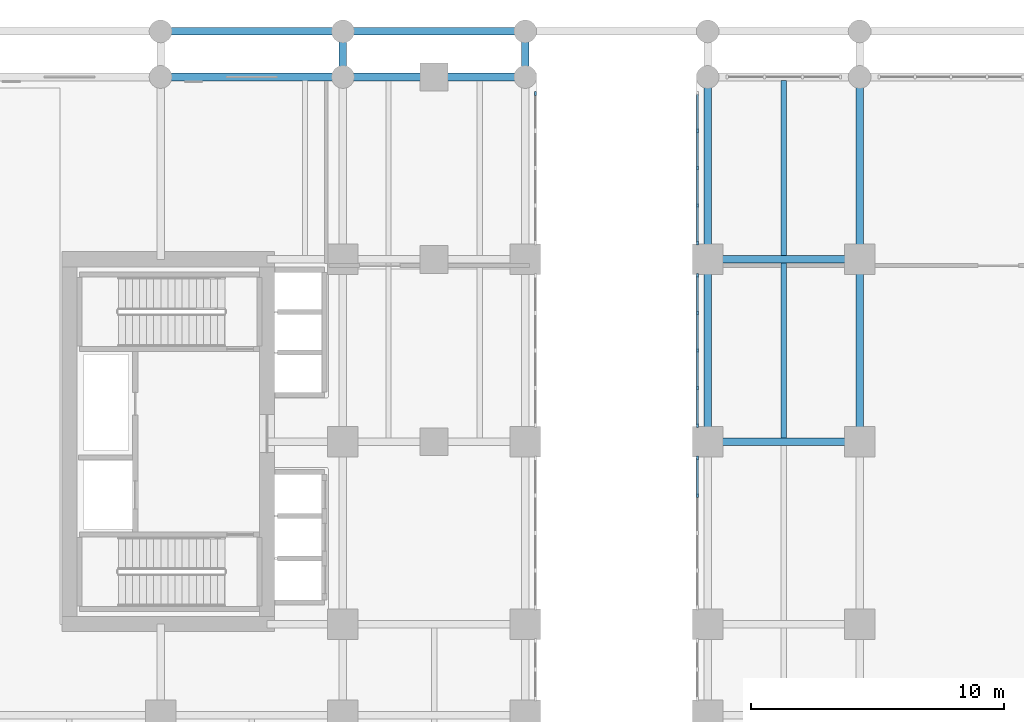
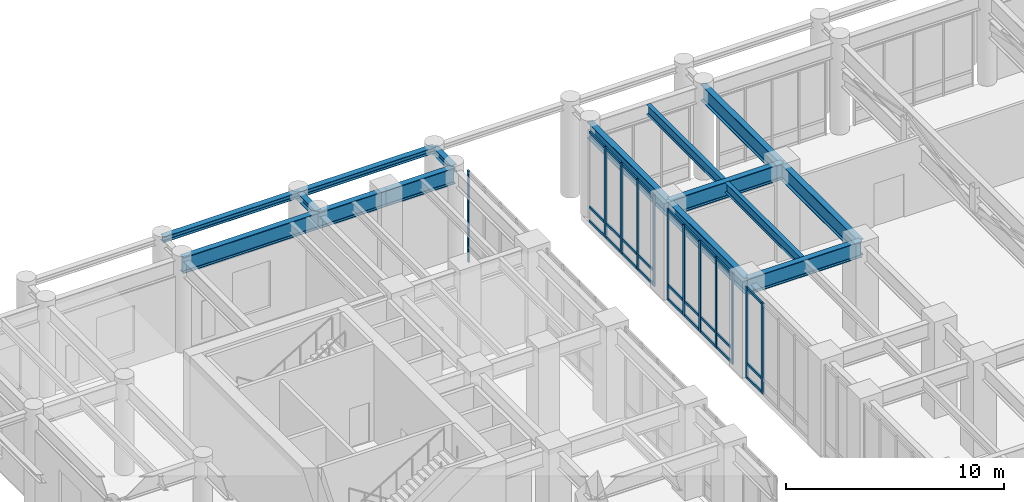
# One storey, part 7 of 24: 39 members, 15 beams, 4 elements without a shape of their own.
"""IFC4 building model written with IfcOpenShell, lengths in metres."""

from ifc_helpers import new_model, si_unit, derived_unit, direction, frame, origin, origin_2d, place, context, subcontext, project, spatial, rectangle, i_section, extrude, source, transform, mapped, material, layer, layer_set, material_profile, profile_set, type_object, type_shapes, element, aggregate, save


model = new_model("IFC4")

# Units and contexts
model_context = context("Model", 3, precision=1e-05, world=origin(), true_north=direction((0.0, 1.0)))
body_context = subcontext(model_context, "Body", "Model", "MODEL_VIEW")
ifc_project = project(units=[si_unit("LENGTHUNIT", "METRE"), si_unit("AREAUNIT", "SQUARE_METRE"), si_unit("VOLUMEUNIT", "CUBIC_METRE"), si_unit("PLANEANGLEUNIT", "RADIAN"), si_unit("MASSUNIT", "GRAM", prefix="KILO"), si_unit("THERMODYNAMICTEMPERATUREUNIT", "KELVIN"), si_unit("POWERUNIT", "WATT"), derived_unit("THERMALTRANSMITTANCEUNIT", [(si_unit("POWERUNIT", "WATT"), 1), (si_unit("AREAUNIT", "SQUARE_METRE"), -1), (si_unit("THERMODYNAMICTEMPERATUREUNIT", "KELVIN"), -1)])], contexts=[model_context])

# Site, building, storey
site_placement = place(None, origin())
site = spatial("IfcSite", under=ifc_project, at=site_placement, CompositionType="ELEMENT")
building_placement = place(site_placement, origin())
building = spatial("IfcBuilding", under=site, at=building_placement, Name="Zahravan Archway Hotel and Residences", CompositionType="ELEMENT")
storey_placement = place(building_placement, frame((0.0, 0.0, 10.800048828125)))
storey = spatial("IfcBuildingStorey", under=building, at=storey_placement, Name="L02", CompositionType="ELEMENT", Elevation=10.800048828125)

# Beams
ifc_material_1 = material(Name="Structural Steel S355J2", Category="steel")
ifc_material_profile_1 = material_profile(ifc_material_1, i_section(OverallWidth=0.300048828125, OverallDepth=0.89990234375, WebThickness=0.0185546875, FlangeThickness=0.034912109375, FilletRadius=0.030029296875, at=origin_2d()), Name="HEB 900", Category="steel")
ifc_profile_set_1 = profile_set([ifc_material_profile_1], Name="Structural Steel S355J2")
beam_type_1 = type_object("IfcBeamType", Name="BM-PRI-HEB900", PredefinedType="BEAM", material=ifc_profile_set_1)
shared_shape_1 = source(origin(), body_context, "Body", "SweptSolid", [
    extrude(i_section(OverallWidth=0.300048828125, OverallDepth=0.89990234375, WebThickness=0.0185546875, FlangeThickness=0.034912109375, FilletRadius=0.030029296875, at=origin_2d()), origin(), (0.0, 0.0, 1.0), 7.199951171875),
])
for number, where, z_axis, x_axis, name in (
    (1, (7.199951171875, 46.800048828125, 4.64990234375), (1.0, 0.0, 0.0), (0.0, 1.0, 0.0), "L02 Primary Girder EW-53"),
    (2, (28.800048828125, 39.60009765625, 4.64990234375), (0.0, 1.0, 0.0), (-1.0, 0.0, 0.0), "L02 Primary Girder NS-101"),
    (3, (34.800048828125, 39.60009765625, 4.64990234375), (0.0, 1.0, 0.0), (-1.0, 0.0, 0.0), "L02 Primary Girder NS-106"),
):
    element("IfcBeam", number, at=place(storey_placement, frame(where, z_axis=z_axis, x_axis=x_axis)), inside=storey, type_object=beam_type_1, Name=name, PredefinedType="BEAM", context=body_context, shape_type="MappedRepresentation", body=[
        mapped(shared_shape_1, transform((0.0, 0.0, 0.0), scale=1.0)),
    ])
shared_shape_2 = source(origin(), body_context, "Body", "SweptSolid", [
    extrude(i_section(OverallWidth=0.300048828125, OverallDepth=0.89990234375, WebThickness=0.0185546875, FlangeThickness=0.034912109375, FilletRadius=0.030029296875, at=origin_2d()), origin(), (0.0, 0.0, 1.0), 7.2001953125),
])
for number, where, z_axis, x_axis, name in (
    (4, (28.800048828125, 32.39990234375, 4.64990234375), (0.0, 1.0, 0.0), (-1.0, 0.0, 0.0), "L02 Primary Girder NS-100"),
    (5, (34.800048828125, 32.39990234375, 4.64990234375), (0.0, 1.0, 0.0), (-1.0, 0.0, 0.0), "L02 Primary Girder NS-105"),
):
    element("IfcBeam", number, at=place(storey_placement, frame(where, z_axis=z_axis, x_axis=x_axis)), inside=storey, type_object=beam_type_1, Name=name, PredefinedType="BEAM", context=body_context, shape_type="MappedRepresentation", body=[
        mapped(shared_shape_2, transform((0.0, 0.0, 0.0), scale=1.0)),
    ])
shared_shape_3 = source(origin(), body_context, "Body", "SweptSolid", [
    extrude(i_section(OverallWidth=0.300048828125, OverallDepth=0.89990234375, WebThickness=0.0185546875, FlangeThickness=0.034912109375, FilletRadius=0.030029296875, at=origin_2d()), origin(), (0.0, 0.0, 1.0), 6.0),
])
for number, where, z_axis, x_axis, name in (
    (6, (28.800048828125, 32.39990234375, 4.64990234375), (1.0, 0.0, 0.0), (0.0, 1.0, 0.0), "L02 Primary Girder EW-45"),
    (7, (28.800048828125, 39.60009765625, 4.64990234375), (1.0, 0.0, 0.0), (0.0, 1.0, 0.0), "L02 Primary Girder EW-50"),
):
    element("IfcBeam", number, at=place(storey_placement, frame(where, z_axis=z_axis, x_axis=x_axis)), inside=storey, type_object=beam_type_1, Name=name, PredefinedType="BEAM", context=body_context, shape_type="MappedRepresentation", body=[
        mapped(shared_shape_3, transform((0.0, 0.0, 0.0), scale=1.0)),
    ])
shared_shape_4 = source(origin(), body_context, "Body", "SweptSolid", [
    extrude(i_section(OverallWidth=0.300048828125, OverallDepth=0.89990234375, WebThickness=0.0185546875, FlangeThickness=0.034912109375, FilletRadius=0.030029296875, at=origin_2d()), origin(), (0.0, 0.0, 1.0), 3.60009765625),
])
for number, where, z_axis, x_axis, name in (
    (8, (14.39990234375, 46.800048828125, 4.64990234375), (1.0, 0.0, 0.0), (0.0, 1.0, 0.0), "L02 Primary Girder EW-54"),
    (9, (18.0, 46.800048828125, 4.64990234375), (1.0, 0.0, 0.0), (0.0, 1.0, 0.0), "L02 Primary Girder EW-55"),
):
    element("IfcBeam", number, at=place(storey_placement, frame(where, z_axis=z_axis, x_axis=x_axis)), inside=storey, type_object=beam_type_1, Name=name, PredefinedType="BEAM", context=body_context, shape_type="MappedRepresentation", body=[
        mapped(shared_shape_4, transform((0.0, 0.0, 0.0), scale=1.0)),
    ])
ifc_material_2 = material(Name="Structural Steel S355JR", Category="steel")
ifc_material_profile_2 = material_profile(ifc_material_2, i_section(OverallWidth=0.2099609375, OverallDepth=0.550048828125, WebThickness=0.010986328125, FlangeThickness=0.01708984375, FilletRadius=0.02392578125, at=origin_2d()), Name="IPE 550", Category="steel")
ifc_profile_set_2 = profile_set([ifc_material_profile_2], Name="Structural Steel S355JR")
beam_type_2 = type_object("IfcBeamType", Name="BM-JST-IPE550", PredefinedType="JOIST", material=ifc_profile_set_2)
shared_shape_5 = source(origin(), body_context, "Body", "SweptSolid", [
    extrude(i_section(OverallWidth=0.2099609375, OverallDepth=0.550048828125, WebThickness=0.010986328125, FlangeThickness=0.01708984375, FilletRadius=0.02392578125, at=origin_2d()), origin(), (0.0, 0.0, 1.0), 6.904052734375),
])
type_shapes(beam_type_2, [shared_shape_5])
beam_1_placement = place(storey_placement, frame((31.800048828125, 39.748046875, 4.824951171875), z_axis=(0.0, 1.0, 0.0), x_axis=(-1.0, 0.0, 0.0)))
element("IfcBeam", 10, at=beam_1_placement, inside=storey, type_object=beam_type_2, Name="L02 Composite Floor Joist 38", PredefinedType="JOIST", context=body_context, shape_type="MappedRepresentation", body=[
    mapped(shared_shape_5, transform((0.0, 0.0, 0.0), scale=1.0)),
])
shared_shape_6 = source(origin(), body_context, "Body", "SweptSolid", [
    extrude(i_section(OverallWidth=0.2099609375, OverallDepth=0.550048828125, WebThickness=0.010986328125, FlangeThickness=0.01708984375, FilletRadius=0.02392578125, at=origin_2d()), origin(), (0.0, 0.0, 1.0), 6.90380859375),
])
beam_2_placement = place(storey_placement, frame((31.800048828125, 32.548095703125, 4.824951171875), z_axis=(0.0, 1.0, 0.0), x_axis=(-1.0, 0.0, 0.0)))
element("IfcBeam", 11, at=beam_2_placement, inside=storey, type_object=beam_type_2, Name="L02 Composite Floor Joist 33", PredefinedType="JOIST", context=body_context, shape_type="MappedRepresentation", body=[
    mapped(shared_shape_6, transform((0.0, 0.0, 0.0), scale=1.0)),
])
ifc_material_profile_3 = material_profile(ifc_material_2, i_section(OverallWidth=0.300048828125, OverallDepth=0.320068359375, WebThickness=0.011474609375, FlangeThickness=0.0205078125, FilletRadius=0.027099609375, at=origin_2d()), Name="HEB 320", Category="steel")
ifc_profile_set_3 = profile_set([ifc_material_profile_3], Name="Structural Steel S355JR")
beam_type_3 = type_object("IfcBeamType", Name="BM-SPN-HEB320", PredefinedType="SPANDREL", material=ifc_profile_set_3)
shared_shape_7 = source(origin(), body_context, "Body", "SweptSolid", [
    extrude(i_section(OverallWidth=0.300048828125, OverallDepth=0.320068359375, WebThickness=0.011474609375, FlangeThickness=0.0205078125, FilletRadius=0.027099609375, at=origin_2d()), origin(), (0.0, 0.0, 1.0), 7.199951171875),
])
type_shapes(beam_type_3, [shared_shape_7])
beam_3_placement = place(storey_placement, frame((7.199951171875, 48.60009765625, 5.0), z_axis=(1.0, 0.0, 0.0), x_axis=(0.0, 1.0, 0.0)))
element("IfcBeam", 12, at=beam_3_placement, inside=storey, type_object=beam_type_3, Name="L02 North Colonnade Spandrel 2", PredefinedType="SPANDREL", context=body_context, shape_type="MappedRepresentation", body=[
    mapped(shared_shape_7, transform((0.0, 0.0, 0.0), scale=1.0)),
])
shared_shape_8 = source(origin(), body_context, "Body", "SweptSolid", [
    extrude(i_section(OverallWidth=0.300048828125, OverallDepth=0.320068359375, WebThickness=0.011474609375, FlangeThickness=0.0205078125, FilletRadius=0.027099609375, at=origin_2d()), origin(), (0.0, 0.0, 1.0), 7.2001953125),
])
beam_4_placement = place(storey_placement, frame((14.39990234375, 48.60009765625, 5.0), z_axis=(1.0, 0.0, 0.0), x_axis=(0.0, 1.0, 0.0)))
element("IfcBeam", 13, at=beam_4_placement, inside=storey, type_object=beam_type_3, Name="L02 North Colonnade Spandrel 3", PredefinedType="SPANDREL", context=body_context, shape_type="MappedRepresentation", body=[
    mapped(shared_shape_8, transform((0.0, 0.0, 0.0), scale=1.0)),
])
ifc_material_profile_4 = material_profile(ifc_material_2, i_section(OverallWidth=0.300048828125, OverallDepth=0.39990234375, WebThickness=0.013427734375, FlangeThickness=0.02392578125, FilletRadius=0.027099609375, at=origin_2d()), Name="HEB 400", Category="steel")
ifc_profile_set_4 = profile_set([ifc_material_profile_4], Name="Structural Steel S355JR")
beam_type_4 = type_object("IfcBeamType", Name="BM-PRI-HEB400", PredefinedType="BEAM", material=ifc_profile_set_4)
shared_shape_9 = source(origin(), body_context, "Body", "SweptSolid", [
    extrude(i_section(OverallWidth=0.300048828125, OverallDepth=0.39990234375, WebThickness=0.013427734375, FlangeThickness=0.02392578125, FilletRadius=0.027099609375, at=origin_2d()), origin(), (0.0, 0.0, 1.0), 1.800048828125),
])
for number, where, z_axis, x_axis, name in (
    (14, (14.39990234375, 46.800048828125, 4.9599609375), (0.0, 1.0, 0.0), (-1.0, 0.0, 0.0), "L02 North Colonnade Tie Girder 3"),
    (15, (21.60009765625, 46.800048828125, 4.9599609375), (0.0, 1.0, 0.0), (-1.0, 0.0, 0.0), "L02 North Colonnade Tie Girder 4"),
):
    element("IfcBeam", number, at=place(storey_placement, frame(where, z_axis=z_axis, x_axis=x_axis)), inside=storey, type_object=beam_type_4, Name=name, PredefinedType="BEAM", context=body_context, shape_type="MappedRepresentation", body=[
        mapped(shared_shape_9, transform((0.0, 0.0, 0.0), scale=1.0)),
    ])

# Curtain wall, members
ifc_material_3 = material(Name="Bronze-Anodized Unitised Aluminium & Low-E Glass", Category="aluminium")
ifc_layer = layer(ifc_material_3, 0.179931640625, Name="Bronze-Anodized Unitised Aluminium & Low-E Glass", Category="aluminium")
ifc_layer_set = layer_set([ifc_layer], Name="Bronze-Anodized Unitised Aluminium & Low-E Glass")
curtain_wall_type = type_object("IfcCurtainWallType", Name="CW-POD-ARCH", PredefinedType="NOTDEFINED", material=ifc_layer_set)
curtain_wall_1_placement = place(storey_placement, origin())
curtain_wall_1 = element("IfcCurtainWall", 16, at=curtain_wall_1_placement, inside=storey, type_object=curtain_wall_type, Name="L02 Curtain Wall CW-PORTE-L02-7", PredefinedType="NOTDEFINED")
ifc_material_4 = material(Name="Bronze-Anodized Extruded Aluminium", Category="aluminium")
ifc_material_profile_5 = material_profile(ifc_material_4, rectangle(XDim=0.080078125, YDim=0.139892578125, at=origin_2d()), Name="TRN 80x140", Category="aluminium")
ifc_profile_set_5 = profile_set([ifc_material_profile_5], Name="Bronze-Anodized Extruded Aluminium")
member_type_1 = type_object("IfcMemberType", Name="CWM-TRN-140", PredefinedType="USERDEFINED", material=ifc_profile_set_5)
shared_shape_10 = source(origin(), body_context, "Body", "SweptSolid", [
    extrude(rectangle(XDim=0.080078125, YDim=0.139892578125, at=origin_2d()), origin(), (0.0, 0.0, 1.0), 1.397216796875),
])
member_1_placement = place(storey_placement, frame((28.39990234375, 41.7626953125, 0.070068359375), z_axis=(0.0, 1.0, 0.0), x_axis=(-1.0, 0.0, 0.0)))
member_1 = element("IfcMember", 17, at=member_1_placement, type_object=member_type_1, Name="CW-PORTE-L02-7 Transom 1-1", ObjectType="TRANSOM", PredefinedType="USERDEFINED", context=body_context, shape_type="MappedRepresentation", body=[
    mapped(shared_shape_10, transform((0.0, 0.0, 0.0), scale=1.0)),
])
member_2_placement = place(storey_placement, frame((28.39990234375, 41.7626953125, 0.849853515625), z_axis=(0.0, 1.0, 0.0), x_axis=(-1.0, 0.0, 0.0)))
member_2 = element("IfcMember", 18, at=member_2_placement, type_object=member_type_1, Name="CW-PORTE-L02-7 Transom 1-2", ObjectType="TRANSOM", PredefinedType="USERDEFINED", context=body_context, shape_type="MappedRepresentation", body=[
    mapped(shared_shape_10, transform((0.0, 0.0, 0.0), scale=1.0)),
])
member_3_placement = place(storey_placement, frame((28.39990234375, 41.7626953125, 5.030029296875), z_axis=(0.0, 1.0, 0.0), x_axis=(-1.0, 0.0, 0.0)))
member_3 = element("IfcMember", 19, at=member_3_placement, type_object=member_type_1, Name="CW-PORTE-L02-7 Transom 1-3", ObjectType="TRANSOM", PredefinedType="USERDEFINED", context=body_context, shape_type="MappedRepresentation", body=[
    mapped(shared_shape_10, transform((0.0, 0.0, 0.0), scale=1.0)),
])

curtain_wall_2_placement = place(storey_placement, origin())
curtain_wall_2 = element("IfcCurtainWall", 20, at=curtain_wall_2_placement, inside=storey, type_object=curtain_wall_type, Name="L02 Curtain Wall CW-PORTE-L02-5", PredefinedType="NOTDEFINED")
shared_shape_11 = source(origin(), body_context, "Body", "SweptSolid", [
    extrude(rectangle(XDim=0.080078125, YDim=0.139892578125, at=origin_2d()), origin(), (0.0, 0.0, 1.0), 1.3974609375),
])
member_4_placement = place(storey_placement, frame((28.39990234375, 30.3173828125, 0.070068359375), z_axis=(0.0, 1.0, 0.0), x_axis=(-1.0, 0.0, 0.0)))
member_4 = element("IfcMember", 21, at=member_4_placement, type_object=member_type_1, Name="CW-PORTE-L02-5 Transom 3-1", ObjectType="TRANSOM", PredefinedType="USERDEFINED", context=body_context, shape_type="MappedRepresentation", body=[
    mapped(shared_shape_11, transform((0.0, 0.0, 0.0), scale=1.0)),
])
member_5_placement = place(storey_placement, frame((28.39990234375, 30.3173828125, 0.849853515625), z_axis=(0.0, 1.0, 0.0), x_axis=(-1.0, 0.0, 0.0)))
member_5 = element("IfcMember", 22, at=member_5_placement, type_object=member_type_1, Name="CW-PORTE-L02-5 Transom 3-2", ObjectType="TRANSOM", PredefinedType="USERDEFINED", context=body_context, shape_type="MappedRepresentation", body=[
    mapped(shared_shape_11, transform((0.0, 0.0, 0.0), scale=1.0)),
])
member_6_placement = place(storey_placement, frame((28.39990234375, 30.3173828125, 5.030029296875), z_axis=(0.0, 1.0, 0.0), x_axis=(-1.0, 0.0, 0.0)))
member_6 = element("IfcMember", 23, at=member_6_placement, type_object=member_type_1, Name="CW-PORTE-L02-5 Transom 3-3", ObjectType="TRANSOM", PredefinedType="USERDEFINED", context=body_context, shape_type="MappedRepresentation", body=[
    mapped(shared_shape_11, transform((0.0, 0.0, 0.0), scale=1.0)),
])

curtain_wall_3_placement = place(storey_placement, origin())
curtain_wall_3 = element("IfcCurtainWall", 24, at=curtain_wall_3_placement, inside=storey, type_object=curtain_wall_type, Name="L02 Curtain Wall CW-PORTE-L02-6", PredefinedType="NOTDEFINED")
member_7_placement = place(storey_placement, frame((28.39990234375, 33.085205078125, 0.070068359375), z_axis=(0.0, 1.0, 0.0), x_axis=(-1.0, 0.0, 0.0)))
member_7 = element("IfcMember", 25, at=member_7_placement, type_object=member_type_1, Name="CW-PORTE-L02-6 Transom 0-1", ObjectType="TRANSOM", PredefinedType="USERDEFINED", context=body_context, shape_type="MappedRepresentation", body=[
    mapped(shared_shape_11, transform((0.0, 0.0, 0.0), scale=1.0)),
])
member_8_placement = place(storey_placement, frame((28.39990234375, 33.085205078125, 0.849853515625), z_axis=(0.0, 1.0, 0.0), x_axis=(-1.0, 0.0, 0.0)))
member_8 = element("IfcMember", 26, at=member_8_placement, type_object=member_type_1, Name="CW-PORTE-L02-6 Transom 0-2", ObjectType="TRANSOM", PredefinedType="USERDEFINED", context=body_context, shape_type="MappedRepresentation", body=[
    mapped(shared_shape_11, transform((0.0, 0.0, 0.0), scale=1.0)),
])
member_9_placement = place(storey_placement, frame((28.39990234375, 33.085205078125, 5.030029296875), z_axis=(0.0, 1.0, 0.0), x_axis=(-1.0, 0.0, 0.0)))
member_9 = element("IfcMember", 27, at=member_9_placement, type_object=member_type_1, Name="CW-PORTE-L02-6 Transom 0-3", ObjectType="TRANSOM", PredefinedType="USERDEFINED", context=body_context, shape_type="MappedRepresentation", body=[
    mapped(shared_shape_11, transform((0.0, 0.0, 0.0), scale=1.0)),
])
member_10_placement = place(storey_placement, frame((28.39990234375, 34.5625, 0.070068359375), z_axis=(0.0, 1.0, 0.0), x_axis=(-1.0, 0.0, 0.0)))
member_10 = element("IfcMember", 28, at=member_10_placement, type_object=member_type_1, Name="CW-PORTE-L02-6 Transom 1-1", ObjectType="TRANSOM", PredefinedType="USERDEFINED", context=body_context, shape_type="MappedRepresentation", body=[
    mapped(shared_shape_11, transform((0.0, 0.0, 0.0), scale=1.0)),
])
member_11_placement = place(storey_placement, frame((28.39990234375, 34.5625, 0.849853515625), z_axis=(0.0, 1.0, 0.0), x_axis=(-1.0, 0.0, 0.0)))
member_11 = element("IfcMember", 29, at=member_11_placement, type_object=member_type_1, Name="CW-PORTE-L02-6 Transom 1-2", ObjectType="TRANSOM", PredefinedType="USERDEFINED", context=body_context, shape_type="MappedRepresentation", body=[
    mapped(shared_shape_11, transform((0.0, 0.0, 0.0), scale=1.0)),
])
member_12_placement = place(storey_placement, frame((28.39990234375, 34.5625, 5.030029296875), z_axis=(0.0, 1.0, 0.0), x_axis=(-1.0, 0.0, 0.0)))
member_12 = element("IfcMember", 30, at=member_12_placement, type_object=member_type_1, Name="CW-PORTE-L02-6 Transom 1-3", ObjectType="TRANSOM", PredefinedType="USERDEFINED", context=body_context, shape_type="MappedRepresentation", body=[
    mapped(shared_shape_11, transform((0.0, 0.0, 0.0), scale=1.0)),
])
member_13_placement = place(storey_placement, frame((28.39990234375, 36.0400390625, 0.070068359375), z_axis=(0.0, 1.0, 0.0), x_axis=(-1.0, 0.0, 0.0)))
member_13 = element("IfcMember", 31, at=member_13_placement, type_object=member_type_1, Name="CW-PORTE-L02-6 Transom 2-1", ObjectType="TRANSOM", PredefinedType="USERDEFINED", context=body_context, shape_type="MappedRepresentation", body=[
    mapped(shared_shape_11, transform((0.0, 0.0, 0.0), scale=1.0)),
])
member_14_placement = place(storey_placement, frame((28.39990234375, 36.0400390625, 0.849853515625), z_axis=(0.0, 1.0, 0.0), x_axis=(-1.0, 0.0, 0.0)))
member_14 = element("IfcMember", 32, at=member_14_placement, type_object=member_type_1, Name="CW-PORTE-L02-6 Transom 2-2", ObjectType="TRANSOM", PredefinedType="USERDEFINED", context=body_context, shape_type="MappedRepresentation", body=[
    mapped(shared_shape_11, transform((0.0, 0.0, 0.0), scale=1.0)),
])
member_15_placement = place(storey_placement, frame((28.39990234375, 36.0400390625, 5.030029296875), z_axis=(0.0, 1.0, 0.0), x_axis=(-1.0, 0.0, 0.0)))
member_15 = element("IfcMember", 33, at=member_15_placement, type_object=member_type_1, Name="CW-PORTE-L02-6 Transom 2-3", ObjectType="TRANSOM", PredefinedType="USERDEFINED", context=body_context, shape_type="MappedRepresentation", body=[
    mapped(shared_shape_11, transform((0.0, 0.0, 0.0), scale=1.0)),
])
member_16_placement = place(storey_placement, frame((28.39990234375, 37.517333984375, 0.070068359375), z_axis=(0.0, 1.0, 0.0), x_axis=(-1.0, 0.0, 0.0)))
member_16 = element("IfcMember", 34, at=member_16_placement, type_object=member_type_1, Name="CW-PORTE-L02-6 Transom 3-1", ObjectType="TRANSOM", PredefinedType="USERDEFINED", context=body_context, shape_type="MappedRepresentation", body=[
    mapped(shared_shape_11, transform((0.0, 0.0, 0.0), scale=1.0)),
])
member_17_placement = place(storey_placement, frame((28.39990234375, 37.517333984375, 0.849853515625), z_axis=(0.0, 1.0, 0.0), x_axis=(-1.0, 0.0, 0.0)))
member_17 = element("IfcMember", 35, at=member_17_placement, type_object=member_type_1, Name="CW-PORTE-L02-6 Transom 3-2", ObjectType="TRANSOM", PredefinedType="USERDEFINED", context=body_context, shape_type="MappedRepresentation", body=[
    mapped(shared_shape_11, transform((0.0, 0.0, 0.0), scale=1.0)),
])
member_18_placement = place(storey_placement, frame((28.39990234375, 37.517333984375, 5.030029296875), z_axis=(0.0, 1.0, 0.0), x_axis=(-1.0, 0.0, 0.0)))
member_18 = element("IfcMember", 36, at=member_18_placement, type_object=member_type_1, Name="CW-PORTE-L02-6 Transom 3-3", ObjectType="TRANSOM", PredefinedType="USERDEFINED", context=body_context, shape_type="MappedRepresentation", body=[
    mapped(shared_shape_11, transform((0.0, 0.0, 0.0), scale=1.0)),
])

# Member
member_19_placement = place(storey_placement, frame((28.39990234375, 40.28515625, 0.070068359375), z_axis=(0.0, 1.0, 0.0), x_axis=(-1.0, 0.0, 0.0)))
member_19 = element("IfcMember", 37, at=member_19_placement, type_object=member_type_1, Name="CW-PORTE-L02-7 Transom 0-1", ObjectType="TRANSOM", PredefinedType="USERDEFINED", context=body_context, shape_type="MappedRepresentation", body=[
    mapped(shared_shape_11, transform((0.0, 0.0, 0.0), scale=1.0)),
])

member_20_placement = place(storey_placement, frame((28.39990234375, 40.28515625, 0.849853515625), z_axis=(0.0, 1.0, 0.0), x_axis=(-1.0, 0.0, 0.0)))
member_20 = element("IfcMember", 38, at=member_20_placement, type_object=member_type_1, Name="CW-PORTE-L02-7 Transom 0-2", ObjectType="TRANSOM", PredefinedType="USERDEFINED", context=body_context, shape_type="MappedRepresentation", body=[
    mapped(shared_shape_11, transform((0.0, 0.0, 0.0), scale=1.0)),
])

member_21_placement = place(storey_placement, frame((28.39990234375, 40.28515625, 5.030029296875), z_axis=(0.0, 1.0, 0.0), x_axis=(-1.0, 0.0, 0.0)))
member_21 = element("IfcMember", 39, at=member_21_placement, type_object=member_type_1, Name="CW-PORTE-L02-7 Transom 0-3", ObjectType="TRANSOM", PredefinedType="USERDEFINED", context=body_context, shape_type="MappedRepresentation", body=[
    mapped(shared_shape_11, transform((0.0, 0.0, 0.0), scale=1.0)),
])

member_22_placement = place(storey_placement, frame((28.39990234375, 43.239990234375, 0.070068359375), z_axis=(0.0, 1.0, 0.0), x_axis=(-1.0, 0.0, 0.0)))
member_22 = element("IfcMember", 40, at=member_22_placement, type_object=member_type_1, Name="CW-PORTE-L02-7 Transom 2-1", ObjectType="TRANSOM", PredefinedType="USERDEFINED", context=body_context, shape_type="MappedRepresentation", body=[
    mapped(shared_shape_11, transform((0.0, 0.0, 0.0), scale=1.0)),
])

member_23_placement = place(storey_placement, frame((28.39990234375, 43.239990234375, 0.849853515625), z_axis=(0.0, 1.0, 0.0), x_axis=(-1.0, 0.0, 0.0)))
member_23 = element("IfcMember", 41, at=member_23_placement, type_object=member_type_1, Name="CW-PORTE-L02-7 Transom 2-2", ObjectType="TRANSOM", PredefinedType="USERDEFINED", context=body_context, shape_type="MappedRepresentation", body=[
    mapped(shared_shape_11, transform((0.0, 0.0, 0.0), scale=1.0)),
])

member_24_placement = place(storey_placement, frame((28.39990234375, 43.239990234375, 5.030029296875), z_axis=(0.0, 1.0, 0.0), x_axis=(-1.0, 0.0, 0.0)))
member_24 = element("IfcMember", 42, at=member_24_placement, type_object=member_type_1, Name="CW-PORTE-L02-7 Transom 2-3", ObjectType="TRANSOM", PredefinedType="USERDEFINED", context=body_context, shape_type="MappedRepresentation", body=[
    mapped(shared_shape_11, transform((0.0, 0.0, 0.0), scale=1.0)),
])

member_25_placement = place(storey_placement, frame((28.39990234375, 44.71728515625, 0.070068359375), z_axis=(0.0, 1.0, 0.0), x_axis=(-1.0, 0.0, 0.0)))
member_25 = element("IfcMember", 43, at=member_25_placement, type_object=member_type_1, Name="CW-PORTE-L02-7 Transom 3-1", ObjectType="TRANSOM", PredefinedType="USERDEFINED", context=body_context, shape_type="MappedRepresentation", body=[
    mapped(shared_shape_11, transform((0.0, 0.0, 0.0), scale=1.0)),
])

member_26_placement = place(storey_placement, frame((28.39990234375, 44.71728515625, 0.849853515625), z_axis=(0.0, 1.0, 0.0), x_axis=(-1.0, 0.0, 0.0)))
member_26 = element("IfcMember", 44, at=member_26_placement, type_object=member_type_1, Name="CW-PORTE-L02-7 Transom 3-2", ObjectType="TRANSOM", PredefinedType="USERDEFINED", context=body_context, shape_type="MappedRepresentation", body=[
    mapped(shared_shape_11, transform((0.0, 0.0, 0.0), scale=1.0)),
])

member_27_placement = place(storey_placement, frame((28.39990234375, 44.71728515625, 5.030029296875), z_axis=(0.0, 1.0, 0.0), x_axis=(-1.0, 0.0, 0.0)))
member_27 = element("IfcMember", 45, at=member_27_placement, type_object=member_type_1, Name="CW-PORTE-L02-7 Transom 3-3", ObjectType="TRANSOM", PredefinedType="USERDEFINED", context=body_context, shape_type="MappedRepresentation", body=[
    mapped(shared_shape_11, transform((0.0, 0.0, 0.0), scale=1.0)),
])

# Curtain wall, member
curtain_wall_4_placement = place(storey_placement, origin())
curtain_wall_4 = element("IfcCurtainWall", 46, at=curtain_wall_4_placement, inside=storey, type_object=curtain_wall_type, Name="L02 Curtain Wall CW-PORTW-L02-7", PredefinedType="NOTDEFINED")
ifc_material_profile_6 = material_profile(ifc_material_4, rectangle(XDim=0.080078125, YDim=0.159912109375, at=origin_2d()), Name="MUL 80x160", Category="aluminium")
ifc_profile_set_6 = profile_set([ifc_material_profile_6], Name="Bronze-Anodized Extruded Aluminium")
member_type_2 = type_object("IfcMemberType", Name="CWM-MUL-160", PredefinedType="MULLION", material=ifc_profile_set_6)
shared_shape_12 = source(origin(), body_context, "Body", "SweptSolid", [
    extrude(rectangle(XDim=0.080078125, YDim=0.159912109375, at=origin_2d()), origin(), (0.0, 0.0, 1.0), 5.099853515625),
])
member_28_placement = place(storey_placement, frame((22.0, 46.15478515625, 0.0), z_axis=(0.0, 0.0, 1.0), x_axis=(1.0, 0.0, 0.0)))
member_28 = element("IfcMember", 47, at=member_28_placement, type_object=member_type_2, Name="CW-PORTW-L02-7 Mullion 4", PredefinedType="MULLION", context=body_context, shape_type="MappedRepresentation", body=[
    mapped(shared_shape_12, transform((0.0, 0.0, 0.0), scale=1.0)),
])
aggregate(curtain_wall_4, [member_28])

# Member
member_29_placement = place(storey_placement, frame((28.39990234375, 30.27734375, 0.0), z_axis=(0.0, 0.0, 1.0), x_axis=(1.0, 0.0, 0.0)))
member_29 = element("IfcMember", 48, at=member_29_placement, type_object=member_type_2, Name="CW-PORTE-L02-5 Mullion 3", PredefinedType="MULLION", context=body_context, shape_type="MappedRepresentation", body=[
    mapped(shared_shape_12, transform((0.0, 0.0, 0.0), scale=1.0)),
])

member_30_placement = place(storey_placement, frame((28.39990234375, 31.7548828125, 0.0), z_axis=(0.0, 0.0, 1.0), x_axis=(1.0, 0.0, 0.0)))
member_30 = element("IfcMember", 49, at=member_30_placement, type_object=member_type_2, Name="CW-PORTE-L02-5 Mullion 4", PredefinedType="MULLION", context=body_context, shape_type="MappedRepresentation", body=[
    mapped(shared_shape_12, transform((0.0, 0.0, 0.0), scale=1.0)),
])

aggregate(curtain_wall_2, [member_29, member_30, member_4, member_5, member_6])

member_31_placement = place(storey_placement, frame((28.39990234375, 33.045166015625, 0.0), z_axis=(0.0, 0.0, 1.0), x_axis=(1.0, 0.0, 0.0)))
member_31 = element("IfcMember", 50, at=member_31_placement, type_object=member_type_2, Name="CW-PORTE-L02-6 Mullion 0", PredefinedType="MULLION", context=body_context, shape_type="MappedRepresentation", body=[
    mapped(shared_shape_12, transform((0.0, 0.0, 0.0), scale=1.0)),
])

member_32_placement = place(storey_placement, frame((28.39990234375, 34.522705078125, 0.0), z_axis=(0.0, 0.0, 1.0), x_axis=(1.0, 0.0, 0.0)))
member_32 = element("IfcMember", 51, at=member_32_placement, type_object=member_type_2, Name="CW-PORTE-L02-6 Mullion 1", PredefinedType="MULLION", context=body_context, shape_type="MappedRepresentation", body=[
    mapped(shared_shape_12, transform((0.0, 0.0, 0.0), scale=1.0)),
])

member_33_placement = place(storey_placement, frame((28.39990234375, 36.0, 0.0), z_axis=(0.0, 0.0, 1.0), x_axis=(1.0, 0.0, 0.0)))
member_33 = element("IfcMember", 52, at=member_33_placement, type_object=member_type_2, Name="CW-PORTE-L02-6 Mullion 2", PredefinedType="MULLION", context=body_context, shape_type="MappedRepresentation", body=[
    mapped(shared_shape_12, transform((0.0, 0.0, 0.0), scale=1.0)),
])

member_34_placement = place(storey_placement, frame((28.39990234375, 37.477294921875, 0.0), z_axis=(0.0, 0.0, 1.0), x_axis=(1.0, 0.0, 0.0)))
member_34 = element("IfcMember", 53, at=member_34_placement, type_object=member_type_2, Name="CW-PORTE-L02-6 Mullion 3", PredefinedType="MULLION", context=body_context, shape_type="MappedRepresentation", body=[
    mapped(shared_shape_12, transform((0.0, 0.0, 0.0), scale=1.0)),
])

member_35_placement = place(storey_placement, frame((28.39990234375, 38.954833984375, 0.0), z_axis=(0.0, 0.0, 1.0), x_axis=(1.0, 0.0, 0.0)))
member_35 = element("IfcMember", 54, at=member_35_placement, type_object=member_type_2, Name="CW-PORTE-L02-6 Mullion 4", PredefinedType="MULLION", context=body_context, shape_type="MappedRepresentation", body=[
    mapped(shared_shape_12, transform((0.0, 0.0, 0.0), scale=1.0)),
])

aggregate(curtain_wall_3, [member_31, member_32, member_33, member_34, member_35, member_7, member_8, member_9, member_10, member_11, member_12, member_13, member_14, member_15, member_16, member_17, member_18])

member_36_placement = place(storey_placement, frame((28.39990234375, 40.2451171875, 0.0), z_axis=(0.0, 0.0, 1.0), x_axis=(1.0, 0.0, 0.0)))
member_36 = element("IfcMember", 55, at=member_36_placement, type_object=member_type_2, Name="CW-PORTE-L02-7 Mullion 0", PredefinedType="MULLION", context=body_context, shape_type="MappedRepresentation", body=[
    mapped(shared_shape_12, transform((0.0, 0.0, 0.0), scale=1.0)),
])

member_37_placement = place(storey_placement, frame((28.39990234375, 41.72265625, 0.0), z_axis=(0.0, 0.0, 1.0), x_axis=(1.0, 0.0, 0.0)))
member_37 = element("IfcMember", 56, at=member_37_placement, type_object=member_type_2, Name="CW-PORTE-L02-7 Mullion 1", PredefinedType="MULLION", context=body_context, shape_type="MappedRepresentation", body=[
    mapped(shared_shape_12, transform((0.0, 0.0, 0.0), scale=1.0)),
])

member_38_placement = place(storey_placement, frame((28.39990234375, 43.199951171875, 0.0), z_axis=(0.0, 0.0, 1.0), x_axis=(1.0, 0.0, 0.0)))
member_38 = element("IfcMember", 57, at=member_38_placement, type_object=member_type_2, Name="CW-PORTE-L02-7 Mullion 2", PredefinedType="MULLION", context=body_context, shape_type="MappedRepresentation", body=[
    mapped(shared_shape_12, transform((0.0, 0.0, 0.0), scale=1.0)),
])

member_39_placement = place(storey_placement, frame((28.39990234375, 44.677490234375, 0.0), z_axis=(0.0, 0.0, 1.0), x_axis=(1.0, 0.0, 0.0)))
member_39 = element("IfcMember", 58, at=member_39_placement, type_object=member_type_2, Name="CW-PORTE-L02-7 Mullion 3", PredefinedType="MULLION", context=body_context, shape_type="MappedRepresentation", body=[
    mapped(shared_shape_12, transform((0.0, 0.0, 0.0), scale=1.0)),
])

aggregate(curtain_wall_1, [member_36, member_37, member_38, member_39, member_19, member_20, member_21, member_1, member_2, member_3, member_22, member_23, member_24, member_25, member_26, member_27])

save(model, "model.ifc")
